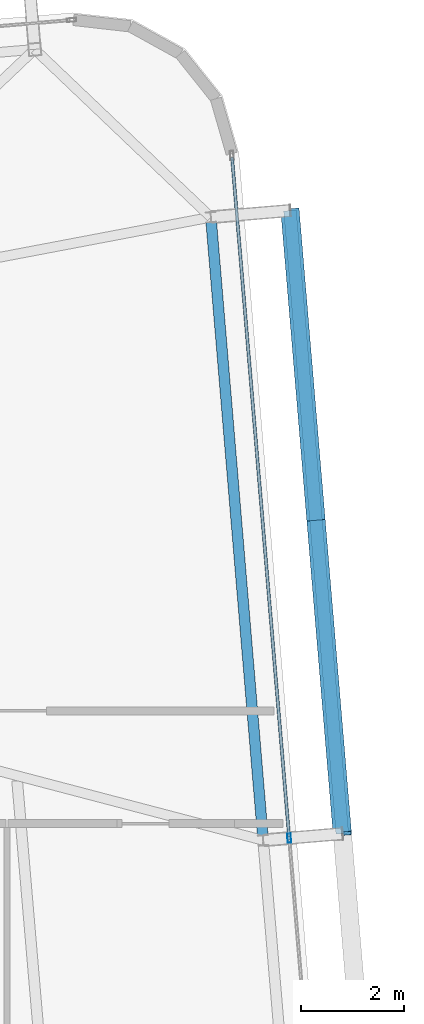
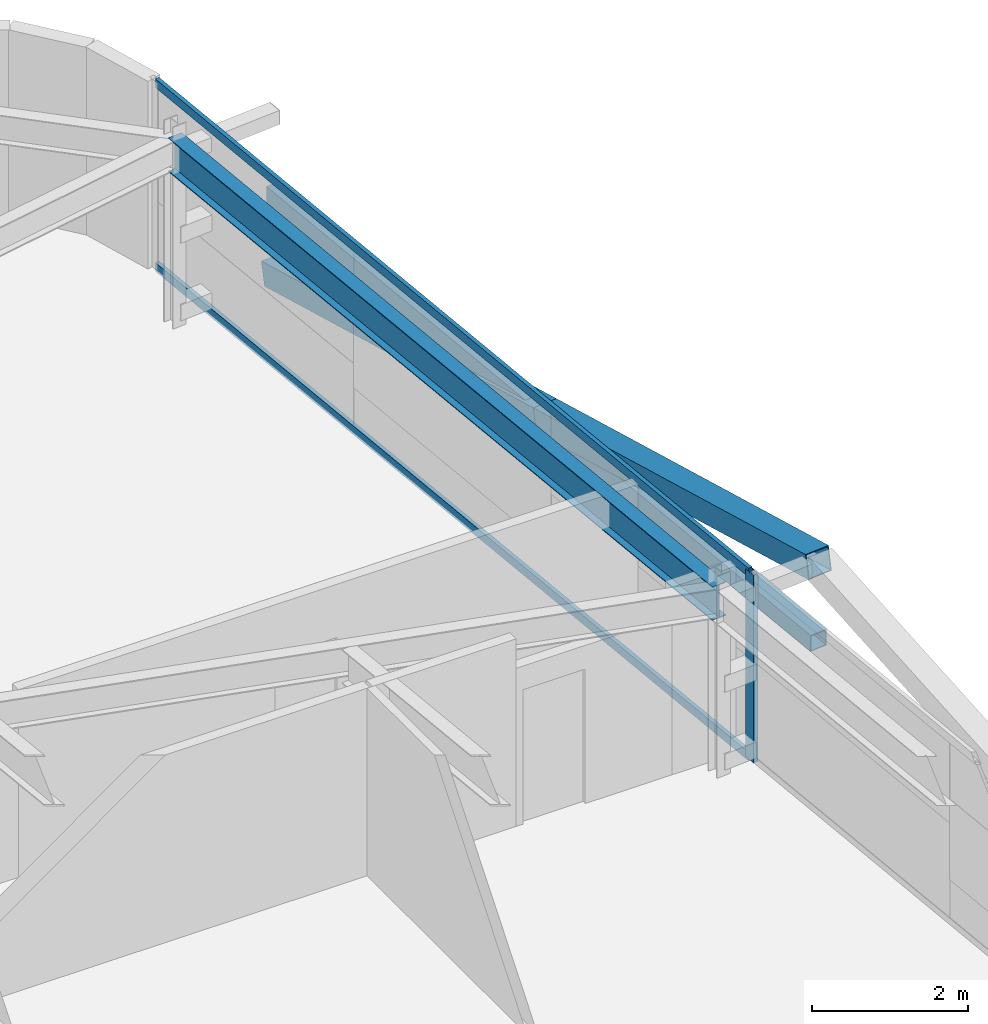
# One storey, part 20 of 39: 6 members, 1 beam, 1 element without a shape of its own.
"""IFC4 building model written with IfcOpenShell, lengths in metres."""

from ifc_helpers import new_model, si_unit, direction, frame, origin, origin_2d, place, context, subcontext, project, spatial, hollow_rectangle, i_section, extrude, source, transform, mapped, material, layer, layer_set, material_profile, profile_set, type_object, element, aggregate, save


model = new_model("IFC4")

# Units and contexts
model_context = context("Model", 3, precision=1e-05, world=origin(), true_north=direction((0.0, 1.0)))
body_context = subcontext(model_context, "Body", "Model", "MODEL_VIEW")
ifc_project = project(units=[si_unit("LENGTHUNIT", "METRE"), si_unit("AREAUNIT", "SQUARE_METRE"), si_unit("VOLUMEUNIT", "CUBIC_METRE"), si_unit("PLANEANGLEUNIT", "RADIAN"), si_unit("MASSUNIT", "GRAM", prefix="KILO")], contexts=[model_context])

# Site, building, storey
site_placement = place(None, origin())
site = spatial("IfcSite", under=ifc_project, at=site_placement, CompositionType="ELEMENT")
building_placement = place(site_placement, origin())
building = spatial("IfcBuilding", under=site, at=building_placement, Name="Taldren Reach Tower", CompositionType="ELEMENT")
storey_placement = place(building_placement, frame((0.0, 0.0, 178.85009765625)))
storey = spatial("IfcBuildingStorey", under=building, at=storey_placement, Name="L54", CompositionType="ELEMENT", Elevation=178.85009765625)

# Beam
ifc_material_1 = material(Name="Steel Gr 350 (350PLUS)", Category="steel")
ifc_material_profile_1 = material_profile(ifc_material_1, i_section(OverallWidth=0.208984375, OverallDepth=0.528076171875, WebThickness=0.009521484375, FlangeThickness=0.01318359375, at=origin_2d()), Name="530UB82.0")
ifc_profile_set_1 = profile_set([ifc_material_profile_1], Name="Steel Gr 350 (350PLUS)")
beam_type = type_object("IfcBeamType", Name="SP-UB530B", PredefinedType="SPANDREL", material=ifc_profile_set_1)
shared_shape_1 = source(origin(), body_context, "Body", "SweptSolid", [
    extrude(i_section(OverallWidth=0.208984375, OverallDepth=0.528076171875, WebThickness=0.009521484375, FlangeThickness=0.01318359375, at=origin_2d()), origin(), (0.0, 0.0, 1.0), 12.199951171875),
])
beam_placement = place(storey_placement, frame((60.6171875, 21.474853515625, 2.666015625), z_axis=(-0.083668166953, 0.99649367175, 0.0), x_axis=(-0.99649367175, -0.083668166953, 0.0)))
element("IfcBeam", 1, at=beam_placement, inside=storey, type_object=beam_type, Name="Perimeter spandrel B4 E2-E3 L54", PredefinedType="SPANDREL", context=body_context, shape_type="MappedRepresentation", body=[
    mapped(shared_shape_1, transform((0.0, 0.0, 0.0), scale=1.0)),
])

# Members
ifc_material_2 = material(Name="Steel Gr 350 (C350L0)", Category="steel")
ifc_material_profile_2 = material_profile(ifc_material_2, hollow_rectangle(XDim=0.25, YDim=0.25, WallThickness=0.010009765625, at=origin_2d()), Name="250x250x10.0SHS")
ifc_profile_set_2 = profile_set([ifc_material_profile_2], Name="Steel Gr 350 (C350L0)")
member_type_1 = type_object("IfcMemberType", Name="MB-POST250", PredefinedType="POST", material=ifc_profile_set_2)
shared_shape_2 = source(origin(), body_context, "Body", "SweptSolid", [
    extrude(hollow_rectangle(XDim=0.25, YDim=0.25, WallThickness=0.010009765625, at=origin_2d()), origin(), (0.0, 0.0, 1.0), 12.199951171875),
])
member_1_placement = place(storey_placement, frame((62.161865234375, 21.6044921875, 1.434814453125), z_axis=(-0.083688038336, 0.996492003099, 0.0), x_axis=(-0.996492003099, -0.083688038336, 0.0)))
element("IfcMember", 2, at=member_1_placement, inside=storey, type_object=member_type_1, Name="Exoskeleton mid-height ring chord B4-E2 L54", PredefinedType="POST", context=body_context, shape_type="MappedRepresentation", body=[
    mapped(shared_shape_2, transform((0.0, 0.0, 0.0), scale=1.0)),
])
ifc_material_3 = material(Name="Steel Gr 450 (C450L0)", Category="steel")
ifc_material_profile_3 = material_profile(ifc_material_3, hollow_rectangle(XDim=0.360107421875, YDim=0.360107421875, WallThickness=0.0126953125, at=origin_2d()), Name="360x360x12.7SHS")
ifc_profile_set_3 = profile_set([ifc_material_profile_3], Name="Steel Gr 450 (C450L0)")
member_type_2 = type_object("IfcMemberType", Name="MB-EXO356", PredefinedType="BRACE", material=ifc_profile_set_3)
shared_shape_3 = source(origin(), body_context, "Body", "SweptSolid", [
    extrude(hollow_rectangle(XDim=0.360107421875, YDim=0.360107421875, WallThickness=0.0126953125, at=origin_2d()), origin(), (0.0, 0.0, 1.0), 6.219970703125),
])
member_2_placement = place(storey_placement, frame((61.6513671875, 27.68310546875, 1.434814453125), z_axis=(0.082075564879, -0.977291924611, 0.195356330179), x_axis=(0.996492003099, 0.083688038336, 0.0)))
element("IfcMember", 3, at=member_2_placement, inside=storey, type_object=member_type_2, Name="Exoskeleton Diagrid Brace B4-E2 L54", PredefinedType="BRACE", context=body_context, shape_type="MappedRepresentation", body=[
    mapped(shared_shape_3, transform((0.0, 0.0, 0.0), scale=1.0)),
])
shared_shape_4 = source(origin(), body_context, "Body", "SweptSolid", [
    extrude(hollow_rectangle(XDim=0.360107421875, YDim=0.360107421875, WallThickness=0.0126953125, at=origin_2d()), origin(), (0.0, 0.0, 1.0), 6.2197265625),
])
member_3_placement = place(storey_placement, frame((61.140869140625, 33.76171875, 0.219970703125), z_axis=(0.082076194186, -0.977299417909, 0.19531857593), x_axis=(0.996492003099, 0.083688038336, 0.0)))
element("IfcMember", 4, at=member_3_placement, inside=storey, type_object=member_type_2, Name="Exoskeleton Diagrid Brace B4-E2 L54", PredefinedType="BRACE", context=body_context, shape_type="MappedRepresentation", body=[
    mapped(shared_shape_4, transform((0.0, 0.0, 0.0), scale=1.0)),
])

# Curtain wall, members
ifc_material_4 = material(Name="Aluminium and Low-E Glass Unitised System", Category="aluminium")
ifc_layer = layer(ifc_material_4, 0.159912109375)
ifc_layer_set = layer_set([ifc_layer], Name="Aluminium and Low-E Glass Unitised System")
curtain_wall_type = type_object("IfcCurtainWallType", Name="CW-SYS-5", PredefinedType="NOTDEFINED", material=ifc_layer_set)
curtain_wall_placement = place(storey_placement, origin())
curtain_wall = element("IfcCurtainWall", 5, at=curtain_wall_placement, inside=storey, type_object=curtain_wall_type, Name="Unitised curtain wall CW-L54-E", PredefinedType="NOTDEFINED")
ifc_material_5 = material(Name="Anodised Aluminium 6063-T6", Category="aluminium")
ifc_material_profile_4 = material_profile(ifc_material_5, hollow_rectangle(XDim=0.070068359375, YDim=0.179931640625, WallThickness=0.00390625, at=origin_2d()), Name="ALU-180x70x4RHS")
ifc_profile_set_4 = profile_set([ifc_material_profile_4], Name="Anodised Aluminium 6063-T6")
member_type_3 = type_object("IfcMemberType", Name="CW-MUL-180", PredefinedType="MULLION", material=ifc_profile_set_4)
shared_shape_5 = source(origin(), body_context, "Body", "SweptSolid", [
    extrude(hollow_rectangle(XDim=0.070068359375, YDim=0.179931640625, WallThickness=0.00390625, at=origin_2d()), origin(), (0.0, 0.0, 1.0), 2.929931640625),
])
member_4_placement = place(storey_placement, frame((61.12548828125, 21.517578125, 0.0), z_axis=(0.0, 0.0, 1.0), x_axis=(-0.996492847789, -0.083677979808, 0.0)))
member_4 = element("IfcMember", 6, at=member_4_placement, type_object=member_type_3, Name="CW-5 mullion 2", PredefinedType="MULLION", context=body_context, shape_type="MappedRepresentation", body=[
    mapped(shared_shape_5, transform((0.0, 0.0, 0.0), scale=1.0)),
])
ifc_material_profile_5 = material_profile(ifc_material_5, hollow_rectangle(XDim=0.06005859375, YDim=0.135009765625, WallThickness=0.00341796875, at=origin_2d()), Name="ALU-135x60x3.5RHS")
ifc_profile_set_5 = profile_set([ifc_material_profile_5], Name="Anodised Aluminium 6063-T6")
member_type_4 = type_object("IfcMemberType", Name="CW-TRN-150", PredefinedType="USERDEFINED", material=ifc_profile_set_5)
shared_shape_6 = source(origin(), body_context, "Body", "SweptSolid", [
    extrude(hollow_rectangle(XDim=0.06005859375, YDim=0.135009765625, WallThickness=0.00341796875, at=origin_2d()), origin(), (0.0, 0.0, 1.0), 13.295166015625),
])
member_5_placement = place(storey_placement, frame((61.12255859375, 21.55224609375, 0.02978515625), z_axis=(-0.083680700004, 0.996492619364, 0.0), x_axis=(-0.996492619364, -0.083680700004, 0.0)))
member_5 = element("IfcMember", 7, at=member_5_placement, type_object=member_type_4, Name="CW-5 transom 2.1", ObjectType="TRANSOM", PredefinedType="USERDEFINED", context=body_context, shape_type="MappedRepresentation", body=[
    mapped(shared_shape_6, transform((0.0, 0.0, 0.0), scale=1.0)),
])
member_6_placement = place(storey_placement, frame((61.12255859375, 21.55224609375, 2.89990234375), z_axis=(-0.083680700004, 0.996492619364, 0.0), x_axis=(-0.996492619364, -0.083680700004, 0.0)))
member_6 = element("IfcMember", 8, at=member_6_placement, type_object=member_type_4, Name="CW-5 transom 2.2", ObjectType="TRANSOM", PredefinedType="USERDEFINED", context=body_context, shape_type="MappedRepresentation", body=[
    mapped(shared_shape_6, transform((0.0, 0.0, 0.0), scale=1.0)),
])
aggregate(curtain_wall, [member_4, member_5, member_6])

save(model, "model.ifc")
